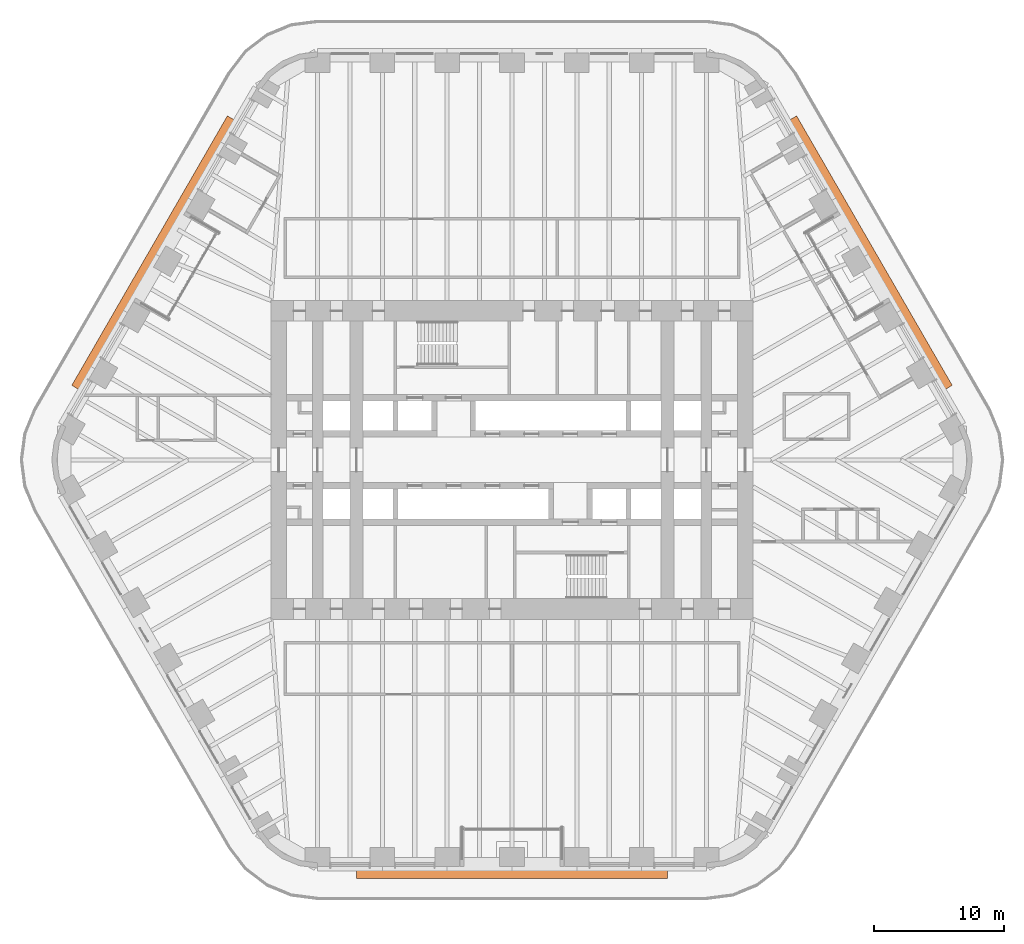
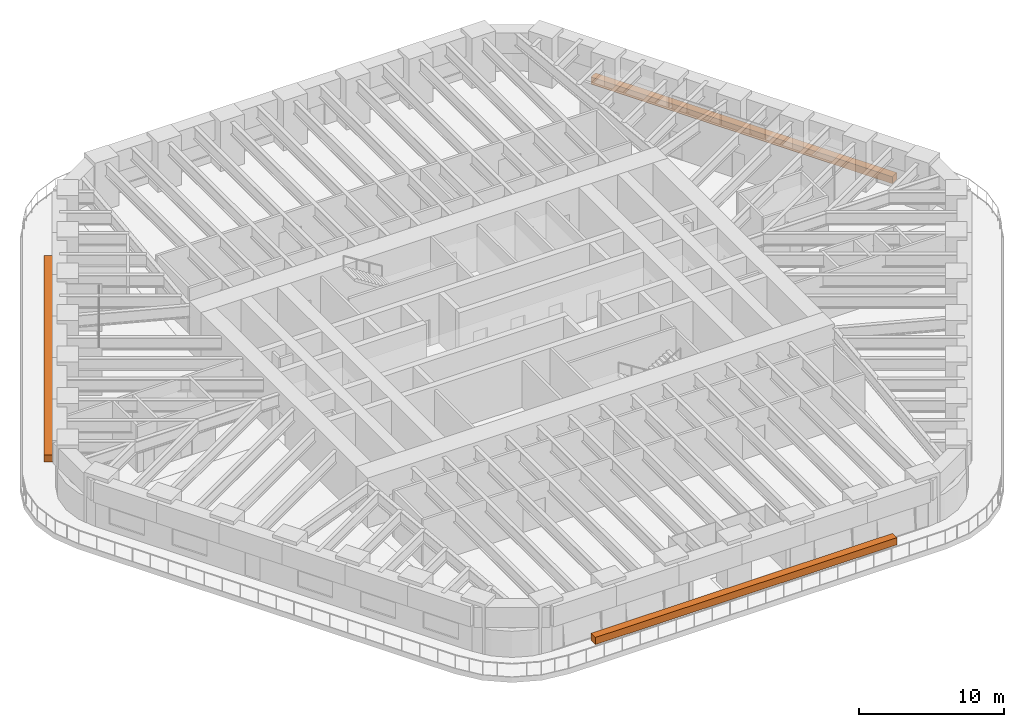
# One storey, part 19 of 19: 3 proxies.
"""IFC4 building model written with IfcOpenShell, lengths in metres."""

from ifc_helpers import new_model, si_unit, direction, frame, origin, origin_2d, place, context, subcontext, project, spatial, rectangle, extrude, material, element, save


model = new_model("IFC4")

# Units and contexts
model_context = context("Model", 3, precision=1e-05, world=origin(), true_north=direction((0.0, 1.0)))
body_context = subcontext(model_context, "Body", "Model", "MODEL_VIEW")
ifc_project = project(units=[si_unit("LENGTHUNIT", "METRE"), si_unit("AREAUNIT", "SQUARE_METRE"), si_unit("VOLUMEUNIT", "CUBIC_METRE"), si_unit("PLANEANGLEUNIT", "RADIAN"), si_unit("MASSUNIT", "GRAM", prefix="KILO")], contexts=[model_context])

# Site, building, storey
site_placement = place(None, origin())
site = spatial("IfcSite", under=ifc_project, at=site_placement, CompositionType="ELEMENT")
building_placement = place(site_placement, origin())
building = spatial("IfcBuilding", under=site, at=building_placement, Name="Tarfa Lantern Tower", CompositionType="ELEMENT")
storey_placement = place(building_placement, frame((0.0, 0.0, 199.300048828125)))
storey = spatial("IfcBuildingStorey", under=building, at=storey_placement, Name="L45", CompositionType="ELEMENT", Elevation=199.300048828125)

# Proxies
ifc_material = material(Name="Planting bed")
for number, where, z_axis, x_axis, name in (
    (1, (27.712890625, 16.0, 0.0), (0.0, 0.0, 1.0), (-0.5, 0.866025403784, 0.0), "Balcony planter"),
    (2, (-27.712890625, 16.0, 0.0), (0.0, 0.0, 1.0), (-0.5, -0.866025403784, 0.0), "Balcony planter"),
    (3, (0.0, -32.0, 0.0), (0.0, 0.0, 1.0), (1.0, 0.0, 0.0), "Balcony planter"),
):
    element("IfcBuildingElementProxy", number, at=place(storey_placement, frame(where, z_axis=z_axis, x_axis=x_axis)), inside=storey, material=ifc_material, Name=name, ObjectType="PLANTER", PredefinedType="USERDEFINED", context=body_context, shape_type="SweptSolid", body=[
        extrude(rectangle(XDim=24.017822265625, YDim=0.60009765625, at=origin_2d()), origin(), (0.0, 0.0, 1.0), 0.60009765625),
    ])

save(model, "model.ifc")
